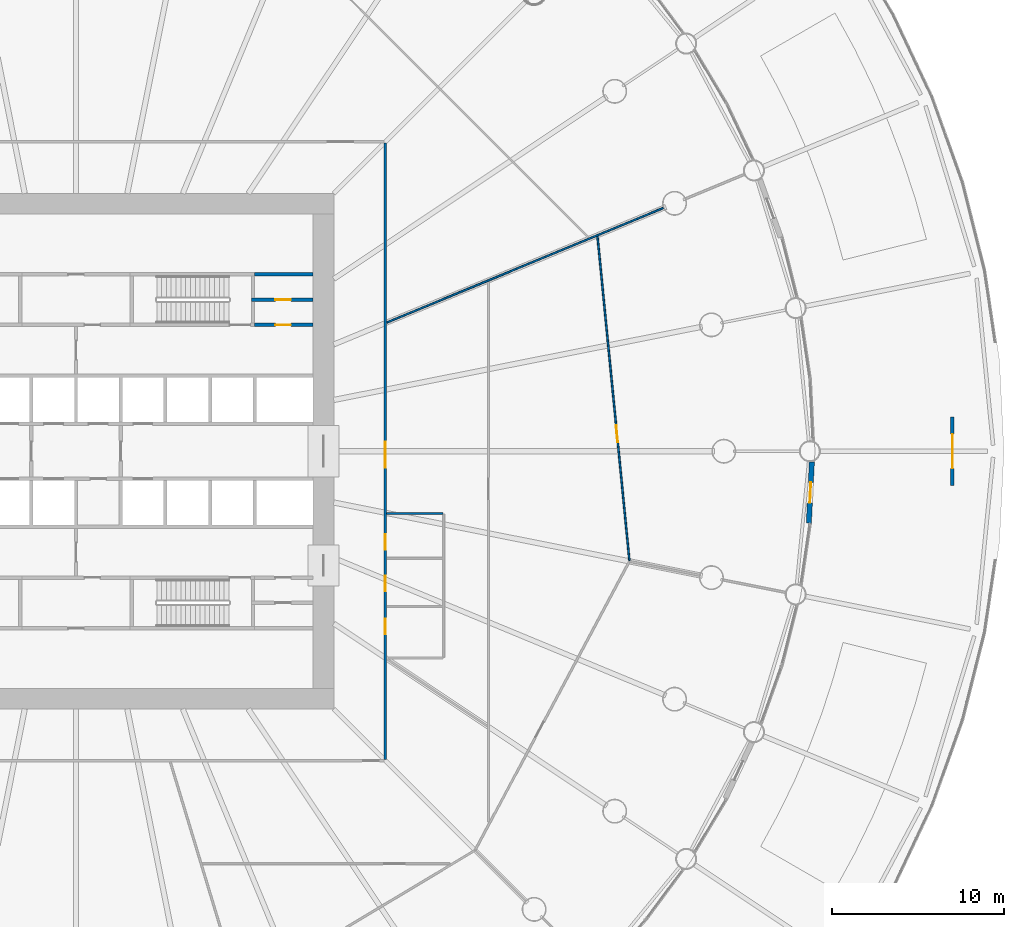
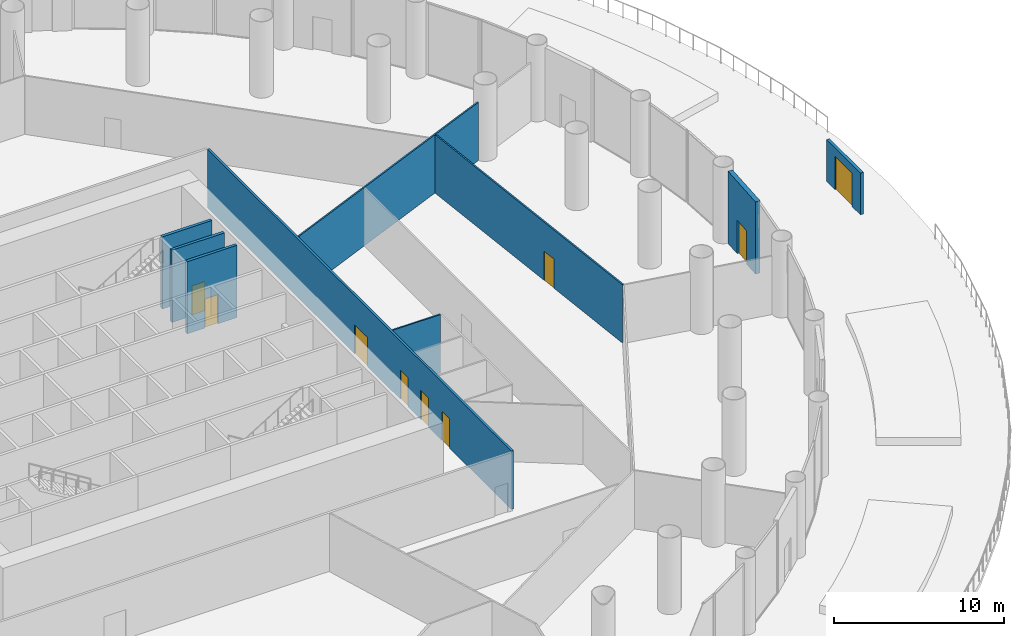
# One storey, part 31 of 36: 9 doors, 9 walls, 9 openings.
"""IFC4 building model written with IfcOpenShell, lengths in metres."""

from ifc_helpers import new_model, si_unit, direction, frame, frame_2d, origin, place, context, subcontext, project, spatial, polyline, rectangle, outline, extrude, material, layer, layer_set, type_object, element, fill, save


model = new_model("IFC4")

# Units and contexts
model_context = context("Model", 3, precision=1e-05, world=origin(), true_north=direction((0.0, 1.0)))
body_context = subcontext(model_context, "Body", "Model", "MODEL_VIEW")
ifc_project = project(units=[si_unit("LENGTHUNIT", "METRE"), si_unit("AREAUNIT", "SQUARE_METRE"), si_unit("VOLUMEUNIT", "CUBIC_METRE"), si_unit("PLANEANGLEUNIT", "RADIAN"), si_unit("MASSUNIT", "GRAM", prefix="KILO")], contexts=[model_context])

# Site, building, storey
site_placement = place(None, origin())
site = spatial("IfcSite", under=ifc_project, at=site_placement, CompositionType="ELEMENT")
building_placement = place(site_placement, origin())
building = spatial("IfcBuilding", under=site, at=building_placement, Name="Corvane Civic Tower", CompositionType="ELEMENT")
storey_placement = place(building_placement, frame((0.0, 0.0, 6.0)))
storey = spatial("IfcBuildingStorey", under=building, at=storey_placement, Name="L01", CompositionType="ELEMENT", Elevation=6.0)

# Wall, opening, door
ifc_material_1 = material(Name="Concrete C30/37", Category="concrete")
ifc_layer_1 = layer(ifc_material_1, 0.199951171875)
ifc_layer_set_1 = layer_set([ifc_layer_1], Name="Concrete C30/37")
wall_type_1 = type_object("IfcWallType", Name="CR-WALL-200", PredefinedType="PARTITIONING", material=ifc_layer_set_1)
wall_1_placement = place(storey_placement, frame((10.39990234375, 7.35009765625, 0.0), z_axis=(0.0, 0.0, 1.0), x_axis=(1.0, 0.0, 0.0)))
wall_1 = element("IfcWall", 1, at=wall_1_placement, inside=storey, type_object=wall_type_1, Name="L01 core partition wall", PredefinedType="PARTITIONING", context=body_context, shape_type="SweptSolid", body=[
    extrude(rectangle(XDim=3.400146484375, YDim=0.199951171875, at=frame_2d((1.7001953125, 0.0))), origin(), (0.0, 0.0, 1.0), 5.199951171875),
])
opening_1_placement = place(wall_1_placement, frame((1.199951171875, 0.0, 0.0)))
opening_1 = element("IfcOpeningElement", 2, at=opening_1_placement, cuts=wall_1, Name="Opening L01.C10", PredefinedType="OPENING", context=body_context, shape_type="SweptSolid", body=[
    extrude(rectangle(XDim=0.89990234375, YDim=2.10009765625, at=frame_2d((0.449951171875, 1.050048828125))), frame((0.0, 0.10986328125, 0.0), z_axis=(0.0, -1.0, 0.0), x_axis=(1.0, 0.0, 0.0)), (0.0, 0.0, 1.0), 0.219970703125),
])
ifc_material_2 = material(Name="Steel fire door leaf", Category="steel")
door_type_1 = type_object("IfcDoorType", Name="CR-DOOR-900", OperationType="SINGLE_SWING_LEFT", PredefinedType="DOOR", material=ifc_material_2)
door_1_placement = place(opening_1_placement, origin())
door_1 = element("IfcDoor", 3, at=door_1_placement, inside=storey, type_object=door_type_1, Name="L01 door", OperationType="SINGLE_SWING_LEFT", OverallHeight=2.10009765625, OverallWidth=0.89990234375, PredefinedType="DOOR", context=body_context, shape_type="SweptSolid", body=[
    extrude(rectangle(XDim=0.89990234375, YDim=2.10009765625, at=frame_2d((0.449951171875, 1.050048828125))), frame((0.0, 0.02490234375, 0.0), z_axis=(0.0, -1.0, 0.0), x_axis=(1.0, 0.0, 0.0)), (0.0, 0.0, 1.0), 0.050048828125),
])
fill(opening_1, door_1)

wall_2_placement = place(storey_placement, frame((10.199951171875, 8.824951171875, 0.0), z_axis=(0.0, 0.0, 1.0), x_axis=(1.0, 0.0, 0.0)))
wall_2 = element("IfcWall", 4, at=wall_2_placement, inside=storey, type_object=wall_type_1, Name="L01 partition wall", PredefinedType="PARTITIONING", context=body_context, shape_type="SweptSolid", body=[
    extrude(rectangle(XDim=3.60009765625, YDim=0.199951171875, at=frame_2d((1.800048828125, 0.0))), origin(), (0.0, 0.0, 1.0), 5.199951171875),
])
opening_2_placement = place(wall_2_placement, frame((1.39990234375, 0.0, 0.0)))
opening_2 = element("IfcOpeningElement", 5, at=opening_2_placement, cuts=wall_2, Name="Opening L01.C11", PredefinedType="OPENING", context=body_context, shape_type="SweptSolid", body=[
    extrude(rectangle(XDim=0.89990234375, YDim=2.10009765625, at=frame_2d((0.449951171875, 1.050048828125))), frame((0.0, 0.10986328125, 0.0), z_axis=(0.0, -1.0, 0.0), x_axis=(1.0, 0.0, 0.0)), (0.0, 0.0, 1.0), 0.219970703125),
])
door_2_placement = place(opening_2_placement, origin())
door_2 = element("IfcDoor", 6, at=door_2_placement, inside=storey, type_object=door_type_1, Name="L01 door", OperationType="SINGLE_SWING_LEFT", OverallHeight=2.10009765625, OverallWidth=0.89990234375, PredefinedType="DOOR", context=body_context, shape_type="SweptSolid", body=[
    extrude(rectangle(XDim=0.89990234375, YDim=2.10009765625, at=frame_2d((0.449951171875, 1.050048828125))), frame((0.0, 0.02490234375, 0.0), z_axis=(0.0, -1.0, 0.0), x_axis=(1.0, 0.0, 0.0)), (0.0, 0.0, 1.0), 0.050048828125),
])
fill(opening_2, door_2)

# Wall
wall_3_placement = place(storey_placement, origin())
element("IfcWall", 7, at=wall_3_placement, inside=storey, type_object=wall_type_1, Name="L01 core partition wall", PredefinedType="PARTITIONING", context=body_context, shape_type="SweptSolid", body=[
    extrude(outline(polyline([(10.39990234375, 10.199951171875), (10.39990234375, 10.39990234375), (13.800048828125, 10.39990234375), (13.800048828125, 10.199951171875), (10.39990234375, 10.199951171875)])), origin(), (0.0, 0.0, 1.0), 5.199951171875),
])

# Wall, opening, door
ifc_material_3 = material(Name="Terracotta cladding", Category="masonry")
ifc_layer_2 = layer(ifc_material_3, 0.300048828125)
ifc_layer_set_2 = layer_set([ifc_layer_2], Name="Terracotta cladding")
wall_type_2 = type_object("IfcWallType", Name="PODIUM-W-DRUMDOOR-300", PredefinedType="SOLIDWALL", material=ifc_layer_set_2)
wall_4_placement = place(storey_placement, frame((42.81884765625, -0.6318359375, 0.0), z_axis=(0.0, 0.0, 1.0), x_axis=(-0.049103014495, -0.998793719427, 0.0)))
wall_4 = element("IfcWall", 8, at=wall_4_placement, inside=storey, type_object=wall_type_2, Name="L01 drum door bay wall 09", PredefinedType="SOLIDWALL", context=body_context, shape_type="SweptSolid", body=[
    extrude(rectangle(XDim=3.56005859375, YDim=0.300048828125, at=frame_2d((1.780029296875, 0.0))), origin(), (0.0, 0.0, 1.0), 5.199951171875),
])
opening_3_placement = place(wall_4_placement, frame((1.179931640625, 0.0, 0.0)))
opening_3 = element("IfcOpeningElement", 9, at=opening_3_placement, cuts=wall_4, Name="Opening ED-L01-09", PredefinedType="OPENING", context=body_context, shape_type="SweptSolid", body=[
    extrude(rectangle(XDim=1.199951171875, YDim=2.39990234375, at=frame_2d((0.60009765625, 1.199951171875))), frame((0.0, 0.159912109375, 0.0), z_axis=(0.0, -1.0, 0.0), x_axis=(1.0, 0.0, 0.0)), (0.0, 0.0, 1.0), 0.320068359375),
])
ifc_material_4 = material(Name="Anodised aluminium and glass", Category="aluminium")
door_type_2 = type_object("IfcDoorType", Name="PODIUM-D-BALCONY-1200", OperationType="SINGLE_SWING_LEFT", PredefinedType="DOOR", material=ifc_material_4)
door_3_placement = place(opening_3_placement, origin())
door_3 = element("IfcDoor", 10, at=door_3_placement, inside=storey, type_object=door_type_2, Name="L01 balcony door 09", OperationType="SINGLE_SWING_LEFT", OverallHeight=2.39990234375, OverallWidth=1.199951171875, PredefinedType="DOOR", context=body_context, shape_type="SweptSolid", body=[
    extrude(rectangle(XDim=1.199951171875, YDim=2.39990234375, at=frame_2d((0.60009765625, 1.199951171875))), frame((0.0, 0.02490234375, 0.0), z_axis=(0.0, -1.0, 0.0), x_axis=(1.0, 0.0, 0.0)), (0.0, 0.0, 1.0), 0.050048828125),
])
fill(opening_3, door_3)

ifc_material_5 = material(Name="Anodised aluminium bronze", Category="aluminium")
ifc_layer_3 = layer(ifc_material_5, 0.199951171875)
ifc_layer_set_3 = layer_set([ifc_layer_3], Name="Anodised aluminium bronze")
wall_type_3 = type_object("IfcWallType", Name="PODIUM-W-GATESCREEN-200", PredefinedType="SOLIDWALL", material=ifc_layer_set_3)
wall_5_placement = place(storey_placement, frame((51.0, -2.0, 0.0), z_axis=(0.0, 0.0, 1.0), x_axis=(0.0, 1.0, 0.0)))
wall_5 = element("IfcWall", 11, at=wall_5_placement, inside=storey, type_object=wall_type_3, Name="Garden gate screen east", PredefinedType="SOLIDWALL", context=body_context, shape_type="SweptSolid", body=[
    extrude(rectangle(XDim=4.0, YDim=0.199951171875, at=frame_2d((2.0, 0.0))), origin(), (0.0, 0.0, 1.0), 3.0),
])
opening_4_placement = place(wall_5_placement, frame((1.0, 0.0, 0.0)))
opening_4 = element("IfcOpeningElement", 12, at=opening_4_placement, cuts=wall_5, Name="Opening ED-L01-G2", PredefinedType="OPENING", context=body_context, shape_type="SweptSolid", body=[
    extrude(rectangle(XDim=2.0, YDim=2.39990234375, at=frame_2d((1.0, 1.199951171875))), frame((0.0, 0.10986328125, 0.0), z_axis=(0.0, -1.0, 0.0), x_axis=(1.0, 0.0, 0.0)), (0.0, 0.0, 1.0), 0.219970703125),
])
ifc_material_6 = material(Name="Anodised aluminium bronze gate leaves", Category="aluminium")
door_type_3 = type_object("IfcDoorType", Name="PODIUM-D-GATE-2000", OperationType="DOUBLE_DOOR_SINGLE_SWING", PredefinedType="DOOR", material=ifc_material_6)
door_4_placement = place(opening_4_placement, origin())
door_4 = element("IfcDoor", 13, at=door_4_placement, inside=storey, type_object=door_type_3, Name="Garden gate east", OperationType="DOUBLE_DOOR_SINGLE_SWING", OverallHeight=2.39990234375, OverallWidth=2.0, PredefinedType="DOOR", context=body_context, shape_type="SweptSolid", body=[
    extrude(rectangle(XDim=2.0, YDim=2.39990234375, at=frame_2d((1.0, 1.199951171875))), frame((0.0, 0.02490234375, 0.0), z_axis=(0.0, -1.0, 0.0), x_axis=(1.0, 0.0, 0.0)), (0.0, 0.0, 1.0), 0.050048828125),
])
fill(opening_4, door_4)

ifc_material_7 = material(Name="Plasterboard")
ifc_layer_4 = layer(ifc_material_7, 0.10009765625)
ifc_layer_set_4 = layer_set([ifc_layer_4], Name="Plasterboard")
wall_type_4 = type_object("IfcWallType", Name="Partition 100 plasterboard on studs", PredefinedType="PARTITIONING", material=ifc_layer_set_4)
wall_6_placement = place(storey_placement, frame((30.344970703125, 12.49951171875, 0.0), z_axis=(0.0, 0.0, 1.0), x_axis=(0.098015800124, -0.99518485867, 0.0)))
wall_6 = element("IfcWall", 14, at=wall_6_placement, inside=storey, type_object=wall_type_4, Name="Partition L01.025", PredefinedType="PARTITIONING", context=body_context, shape_type="SweptSolid", body=[
    extrude(rectangle(XDim=18.960205078125, YDim=0.10009765625, at=frame_2d((9.47998046875, 0.0))), origin(), (0.0, 0.0, 1.0), 4.199951171875),
])
opening_5_placement = place(wall_6_placement, frame((11.043212890625, 0.0, 0.0)))
opening_5 = element("IfcOpeningElement", 15, at=opening_5_placement, cuts=wall_6, Name="Opening L01.001", PredefinedType="OPENING", context=body_context, shape_type="SweptSolid", body=[
    extrude(rectangle(XDim=1.0, YDim=2.10009765625, at=frame_2d((0.5, 1.050048828125))), frame((0.0, 0.06005859375, 0.0), z_axis=(0.0, -1.0, 0.0), x_axis=(1.0, 0.0, 0.0)), (0.0, 0.0, 1.0), 0.1201171875),
])
ifc_material_8 = material(Name="Timber", Category="wood")
door_type_4 = type_object("IfcDoorType", Name="Single door 1000", OperationType="NOTDEFINED", PredefinedType="DOOR", material=ifc_material_8)
door_5_placement = place(opening_5_placement, origin())
door_5 = element("IfcDoor", 16, at=door_5_placement, inside=storey, type_object=door_type_4, Name="Door L01.001", OperationType="SINGLE_SWING_LEFT", OverallHeight=2.10009765625, OverallWidth=1.0, PredefinedType="DOOR", context=body_context, shape_type="SweptSolid", body=[
    extrude(rectangle(XDim=1.0, YDim=2.10009765625, at=frame_2d((0.5, 1.050048828125))), frame((0.0, 0.02490234375, 0.0), z_axis=(0.0, -1.0, 0.0), x_axis=(1.0, 0.0, 0.0)), (0.0, 0.0, 1.0), 0.050048828125),
])
fill(opening_5, door_5)

# Walls
wall_7_placement = place(storey_placement, frame((18.074951171875, -3.627197265625, 0.0), z_axis=(0.0, 0.0, 1.0), x_axis=(1.0, 0.0, 0.0)))
element("IfcWall", 17, at=wall_7_placement, inside=storey, type_object=wall_type_4, Name="Partition L01.027", PredefinedType="PARTITIONING", context=body_context, shape_type="SweptSolid", body=[
    extrude(rectangle(XDim=3.275146484375, YDim=0.10009765625, at=frame_2d((1.6376953125, 0.0))), origin(), (0.0, 0.0, 1.0), 4.199951171875),
])
wall_8_placement = place(storey_placement, frame((18.093994140625, 7.494873046875, 0.0), z_axis=(0.0, 0.0, 1.0), x_axis=(0.923880406754, 0.38268132175, 0.0)))
element("IfcWall", 18, at=wall_8_placement, inside=storey, type_object=wall_type_4, Name="Partition L01.032", PredefinedType="PARTITIONING", context=body_context, shape_type="SweptSolid", body=[
    extrude(rectangle(XDim=17.4052734375, YDim=0.10009765625, at=frame_2d((8.70263671875, 0.0))), origin(), (0.0, 0.0, 1.0), 4.199951171875),
])

# Wall, openings, doors
ifc_material_9 = material(Name="Plasterboard")
ifc_layer_5 = layer(ifc_material_9, 0.14990234375)
ifc_layer_set_5 = layer_set([ifc_layer_5], Name="Plasterboard")
wall_type_5 = type_object("IfcWallType", Name="Tenancy wall 150 EI 60", PredefinedType="PARTITIONING", material=ifc_layer_set_5)
wall_9_placement = place(storey_placement, frame((18.0, -17.925048828125, 0.0), z_axis=(0.0, 0.0, 1.0), x_axis=(0.0, 1.0, 0.0)))
wall_9 = element("IfcWall", 19, at=wall_9_placement, inside=storey, type_object=wall_type_5, Name="Partition L01.016", PredefinedType="PARTITIONING", context=body_context, shape_type="SweptSolid", body=[
    extrude(rectangle(XDim=35.85009765625, YDim=0.14990234375, at=frame_2d((17.925048828125, 0.0))), origin(), (0.0, 0.0, 1.0), 4.199951171875),
])
opening_6_placement = place(wall_9_placement, frame((16.965576171875, 0.0, 0.0)))
opening_6 = element("IfcOpeningElement", 20, at=opening_6_placement, cuts=wall_9, Name="Opening L01.006", PredefinedType="OPENING", context=body_context, shape_type="SweptSolid", body=[
    extrude(rectangle(XDim=1.5, YDim=2.10009765625, at=frame_2d((0.75, 1.050048828125))), frame((0.0, 0.0849609375, 0.0), z_axis=(0.0, -1.0, 0.0), x_axis=(1.0, 0.0, 0.0)), (0.0, 0.0, 1.0), 0.169921875),
])
opening_7_placement = place(wall_9_placement, frame((7.28515625, 0.0, 0.0)))
opening_7 = element("IfcOpeningElement", 21, at=opening_7_placement, cuts=wall_9, Name="Opening L01.008", PredefinedType="OPENING", context=body_context, shape_type="SweptSolid", body=[
    extrude(rectangle(XDim=0.89990234375, YDim=2.10009765625, at=frame_2d((0.449951171875, 1.050048828125))), frame((0.0, 0.0849609375, 0.0), z_axis=(0.0, -1.0, 0.0), x_axis=(1.0, 0.0, 0.0)), (0.0, 0.0, 1.0), 0.169921875),
])
opening_8_placement = place(wall_9_placement, frame((9.783203125, 0.0, 0.0)))
opening_8 = element("IfcOpeningElement", 22, at=opening_8_placement, cuts=wall_9, Name="Opening L01.009", PredefinedType="OPENING", context=body_context, shape_type="SweptSolid", body=[
    extrude(rectangle(XDim=0.89990234375, YDim=2.10009765625, at=frame_2d((0.449951171875, 1.050048828125))), frame((0.0, 0.0849609375, 0.0), z_axis=(0.0, -1.0, 0.0), x_axis=(1.0, 0.0, 0.0)), (0.0, 0.0, 1.0), 0.169921875),
])
opening_9_placement = place(wall_9_placement, frame((12.189453125, 0.0, 0.0)))
opening_9 = element("IfcOpeningElement", 23, at=opening_9_placement, cuts=wall_9, Name="Opening L01.010", PredefinedType="OPENING", context=body_context, shape_type="SweptSolid", body=[
    extrude(rectangle(XDim=0.89990234375, YDim=2.10009765625, at=frame_2d((0.449951171875, 1.050048828125))), frame((0.0, 0.0849609375, 0.0), z_axis=(0.0, -1.0, 0.0), x_axis=(1.0, 0.0, 0.0)), (0.0, 0.0, 1.0), 0.169921875),
])
ifc_material_10 = material(Name="Steel and timber", Category="steel")
door_type_5 = type_object("IfcDoorType", Name="Fire door FD30S 900", OperationType="NOTDEFINED", PredefinedType="DOOR", material=ifc_material_10)
door_6_placement = place(opening_7_placement, frame((0.89990234375, 0.0, 0.0), z_axis=(0.0, 0.0, 1.0), x_axis=(-1.0, 0.0, 0.0)))
door_6 = element("IfcDoor", 24, at=door_6_placement, inside=storey, type_object=door_type_5, Name="Door L01.008", OperationType="SINGLE_SWING_LEFT", OverallHeight=2.10009765625, OverallWidth=0.89990234375, PredefinedType="DOOR", context=body_context, shape_type="SweptSolid", body=[
    extrude(rectangle(XDim=0.89990234375, YDim=2.10009765625, at=frame_2d((0.449951171875, 1.050048828125))), frame((0.0, 0.02490234375, 0.0), z_axis=(0.0, -1.0, 0.0), x_axis=(1.0, 0.0, 0.0)), (0.0, 0.0, 1.0), 0.050048828125),
])
fill(opening_7, door_6)
door_7_placement = place(opening_8_placement, frame((0.89990234375, 0.0, 0.0), z_axis=(0.0, 0.0, 1.0), x_axis=(-1.0, 0.0, 0.0)))
door_7 = element("IfcDoor", 25, at=door_7_placement, inside=storey, type_object=door_type_5, Name="Door L01.009", OperationType="SINGLE_SWING_RIGHT", OverallHeight=2.10009765625, OverallWidth=0.89990234375, PredefinedType="DOOR", context=body_context, shape_type="SweptSolid", body=[
    extrude(rectangle(XDim=0.89990234375, YDim=2.10009765625, at=frame_2d((0.449951171875, 1.050048828125))), frame((0.0, 0.02490234375, 0.0), z_axis=(0.0, -1.0, 0.0), x_axis=(1.0, 0.0, 0.0)), (0.0, 0.0, 1.0), 0.050048828125),
])
fill(opening_8, door_7)
door_8_placement = place(opening_9_placement, frame((0.89990234375, 0.0, 0.0), z_axis=(0.0, 0.0, 1.0), x_axis=(-1.0, 0.0, 0.0)))
door_8 = element("IfcDoor", 26, at=door_8_placement, inside=storey, type_object=door_type_5, Name="Door L01.010", OperationType="SINGLE_SWING_LEFT", OverallHeight=2.10009765625, OverallWidth=0.89990234375, PredefinedType="DOOR", context=body_context, shape_type="SweptSolid", body=[
    extrude(rectangle(XDim=0.89990234375, YDim=2.10009765625, at=frame_2d((0.449951171875, 1.050048828125))), frame((0.0, 0.02490234375, 0.0), z_axis=(0.0, -1.0, 0.0), x_axis=(1.0, 0.0, 0.0)), (0.0, 0.0, 1.0), 0.050048828125),
])
fill(opening_9, door_8)
ifc_material_11 = material(Name="Steel and timber", Category="steel")
door_type_6 = type_object("IfcDoorType", Name="Fire door FD60 double 1500", OperationType="NOTDEFINED", PredefinedType="DOOR", material=ifc_material_11)
door_9_placement = place(opening_6_placement, frame((1.5, 0.0, 0.0), z_axis=(0.0, 0.0, 1.0), x_axis=(-1.0, 0.0, 0.0)))
door_9 = element("IfcDoor", 27, at=door_9_placement, inside=storey, type_object=door_type_6, Name="Door L01.006", OperationType="DOUBLE_DOOR_SINGLE_SWING", OverallHeight=2.10009765625, OverallWidth=1.5, PredefinedType="DOOR", context=body_context, shape_type="SweptSolid", body=[
    extrude(rectangle(XDim=1.5, YDim=2.10009765625, at=frame_2d((0.75, 1.050048828125))), frame((0.0, 0.02490234375, 0.0), z_axis=(0.0, -1.0, 0.0), x_axis=(1.0, 0.0, 0.0)), (0.0, 0.0, 1.0), 0.050048828125),
])
fill(opening_6, door_9)

save(model, "model.ifc")
